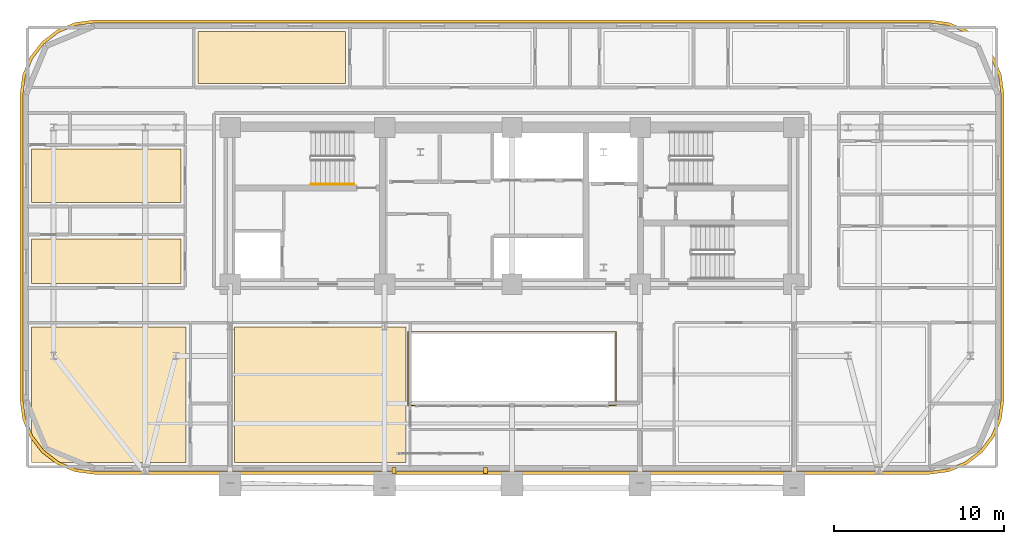
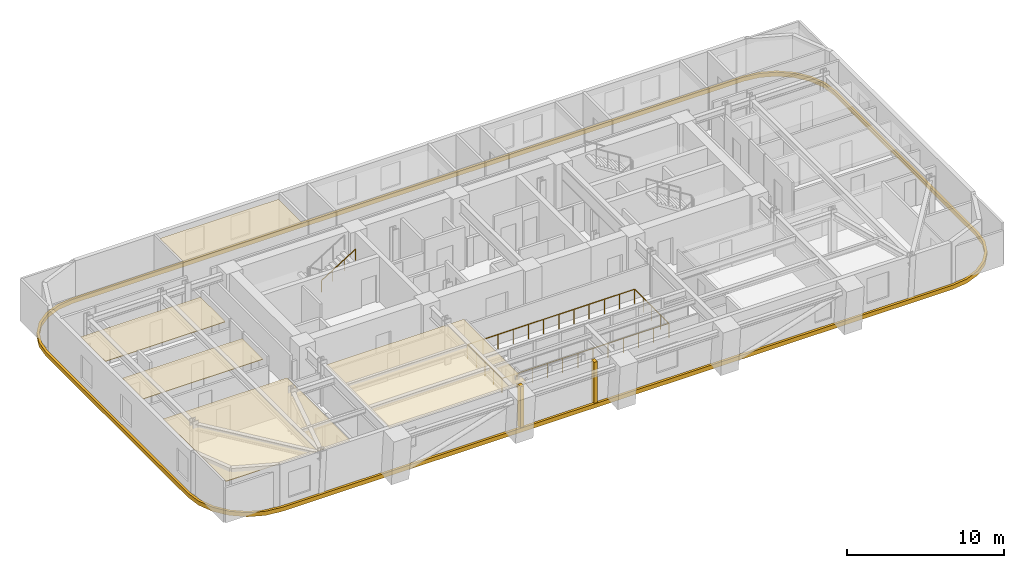
# One storey, part 13 of 15: 8 coverings, 2 railings.
"""IFC4 building model written with IfcOpenShell, lengths in metres."""

from ifc_helpers import new_model, si_unit, direction, frame, origin, origin_2d, place, context, subcontext, project, spatial, polyline, rectangle, outline, extrude, material, layer, layer_set, type_object, element, save


model = new_model("IFC4")

# Units and contexts
model_context = context("Model", 3, precision=1e-05, world=origin(), true_north=direction((0.0, 1.0)))
body_context = subcontext(model_context, "Body", "Model", "MODEL_VIEW")
ifc_project = project(units=[si_unit("LENGTHUNIT", "METRE"), si_unit("AREAUNIT", "SQUARE_METRE"), si_unit("VOLUMEUNIT", "CUBIC_METRE"), si_unit("PLANEANGLEUNIT", "RADIAN"), si_unit("MASSUNIT", "GRAM", prefix="KILO")], contexts=[model_context])

# Site, building, storey
site_placement = place(None, origin())
site = spatial("IfcSite", under=ifc_project, at=site_placement, CompositionType="ELEMENT")
building_placement = place(site_placement, origin())
building = spatial("IfcBuilding", under=site, at=building_placement, Name="Zarnavel Station Tower", CompositionType="ELEMENT")
storey_placement = place(building_placement, frame((0.0, 0.0, 111.800048828125)))
storey = spatial("IfcBuildingStorey", under=building, at=storey_placement, Name="L30", CompositionType="ELEMENT", Elevation=111.800048828125)

# Coverings
ifc_material_1 = material(Name="Perforated Gypsum and Mineral-Wool Acoustic Ceiling", Category="concrete")
ifc_layer = layer(ifc_material_1, 0.0400390625)
ifc_layer_set = layer_set([ifc_layer], Name="COV_CEIL_ACOUSTIC")
covering_type_1 = type_object("IfcCoveringType", Name="COV_CEIL_ACOUSTIC", PredefinedType="CEILING", material=ifc_layer_set)
covering_1_placement = place(storey_placement, frame((0.0, 0.0, 2.919921875)))
element("IfcCovering", 1, at=covering_1_placement, inside=storey, type_object=covering_type_1, Name="L30 FNW1R Acoustic Ceiling", PredefinedType="CEILING", context=body_context, shape_type="SweptSolid", body=[
    extrude(outline(polyline([(0.510009765625, 27.85009765625), (9.300048828125, 27.85009765625), (9.300048828125, 30.490966796875), (0.510009765625, 30.490966796875), (0.510009765625, 27.85009765625)])), origin(), (0.0, 0.0, 1.0), 0.0400390625),
])
covering_2_placement = place(storey_placement, frame((0.0, 0.0, 2.919921875)))
element("IfcCovering", 2, at=covering_2_placement, inside=storey, type_object=covering_type_1, Name="L30 FNW2R Acoustic Ceiling", PredefinedType="CEILING", context=body_context, shape_type="SweptSolid", body=[
    extrude(outline(polyline([(0.510009765625, 32.64111328125), (9.300048828125, 32.64111328125), (9.300048828125, 35.777099609375), (0.510009765625, 35.777099609375), (0.510009765625, 32.64111328125)])), origin(), (0.0, 0.0, 1.0), 0.0400390625),
])
covering_3_placement = place(storey_placement, frame((0.0, 0.0, 2.919921875)))
element("IfcCovering", 3, at=covering_3_placement, inside=storey, type_object=covering_type_1, Name="L30 HN1R Acoustic Ceiling", PredefinedType="CEILING", context=body_context, shape_type="SweptSolid", body=[
    extrude(outline(polyline([(10.31005859375, 39.64990234375), (19.0, 39.64990234375), (19.0, 42.68994140625), (10.31005859375, 42.68994140625), (10.31005859375, 39.64990234375)])), origin(), (0.0, 0.0, 1.0), 0.0400390625),
])
covering_4_placement = place(storey_placement, frame((0.0, 0.0, 2.919921875)))
element("IfcCovering", 4, at=covering_4_placement, inside=storey, type_object=covering_type_1, Name="L30 HW1R Acoustic Ceiling", PredefinedType="CEILING", context=body_context, shape_type="SweptSolid", body=[
    extrude(outline(polyline([(0.510009765625, 17.31005859375), (9.60009765625, 17.31005859375), (9.60009765625, 25.300048828125), (0.510009765625, 25.300048828125), (0.510009765625, 17.31005859375)])), origin(), (0.0, 0.0, 1.0), 0.0400390625),
])
covering_5_placement = place(storey_placement, frame((0.0, 0.0, 2.919921875)))
element("IfcCovering", 5, at=covering_5_placement, inside=storey, type_object=covering_type_1, Name="L30 L29STD Acoustic Ceiling", PredefinedType="CEILING", context=body_context, shape_type="SweptSolid", body=[
    extrude(outline(polyline([(12.449951171875, 17.31005859375), (22.550048828125, 17.31005859375), (22.550048828125, 25.300048828125), (12.449951171875, 25.300048828125), (12.449951171875, 17.31005859375)])), origin(), (0.0, 0.0, 1.0), 0.0400390625),
])
ifc_material_2 = material(Name="Precast concrete C45/55 (Pale Travertine Slab Band)", Category="masonry")
covering_type_2 = type_object("IfcCoveringType", Name="COV_TRAVERTINE_BAND", PredefinedType="CLADDING", material=ifc_material_2)
covering_6_placement = place(storey_placement, frame((0.0, 0.0, -0.260009765625)))
element("IfcCovering", 6, at=covering_6_placement, inside=storey, type_object=covering_type_2, Name="L30 Pale Travertine Slab-Edge Band", PredefinedType="CLADDING", context=body_context, shape_type="SweptSolid", body=[
    extrude(outline(polyline([(53.39990234375, 16.6201171875), (54.53369140625, 16.769287109375), (55.590087890625, 17.206787109375), (56.4970703125, 17.90283203125), (57.193115234375, 18.81005859375), (57.630859375, 19.866455078125), (57.780029296875, 21.0), (57.780029296875, 39.0), (57.630859375, 40.133544921875), (57.193115234375, 41.18994140625), (56.4970703125, 42.09716796875), (55.590087890625, 42.793212890625), (54.53369140625, 43.230712890625), (53.39990234375, 43.3798828125), (4.199951171875, 43.3798828125), (3.06640625, 43.230712890625), (2.010009765625, 42.793212890625), (1.102783203125, 42.09716796875), (0.40673828125, 41.18994140625), (-0.03076171875, 40.133544921875), (-0.179931640625, 39.0), (-0.179931640625, 21.0), (-0.03076171875, 19.866455078125), (0.40673828125, 18.81005859375), (1.102783203125, 17.90283203125), (2.010009765625, 17.206787109375), (3.06640625, 16.769287109375), (4.199951171875, 16.6201171875), (53.39990234375, 16.6201171875)]), holes=[polyline([(53.39990234375, 16.800048828125), (54.487060546875, 16.943115234375), (55.5, 17.36279296875), (56.369873046875, 18.0302734375), (57.037353515625, 18.89990234375), (57.456787109375, 19.9130859375), (57.60009765625, 21.0), (57.60009765625, 39.0), (57.456787109375, 40.0869140625), (57.037353515625, 41.10009765625), (56.369873046875, 41.9697265625), (55.5, 42.63720703125), (54.487060546875, 43.056884765625), (53.39990234375, 43.199951171875), (4.199951171875, 43.199951171875), (3.113037109375, 43.056884765625), (2.10009765625, 42.63720703125), (1.230224609375, 41.9697265625), (0.562744140625, 41.10009765625), (0.14306640625, 40.0869140625), (0.0, 39.0), (0.0, 21.0), (0.14306640625, 19.9130859375), (0.562744140625, 18.89990234375), (1.230224609375, 18.0302734375), (2.10009765625, 17.36279296875), (3.113037109375, 16.943115234375), (4.199951171875, 16.800048828125), (53.39990234375, 16.800048828125)])]), origin(), (0.0, 0.0, 1.0), 0.320068359375),
])
for number, where, z_axis, x_axis, name in (
    (7, (21.85009765625, 16.85009765625, 0.0), (0.0, 0.0, 1.0), (1.0, 0.0, 0.0), "L30 Travertine Portal Loggia Vertical Jog West"),
    (8, (27.25, 16.85009765625, 0.0), (0.0, 0.0, 1.0), (1.0, 0.0, 0.0), "L30 Travertine Portal Loggia Vertical Jog East"),
):
    element("IfcCovering", number, at=place(storey_placement, frame(where, z_axis=z_axis, x_axis=x_axis)), inside=storey, type_object=covering_type_2, Name=name, PredefinedType="CLADDING", context=body_context, shape_type="SweptSolid", body=[
        extrude(rectangle(XDim=0.239990234375, YDim=0.360107421875, at=origin_2d()), origin(), (0.0, 0.0, 1.0), 3.239990234375),
    ])

# Railings
ifc_material_3 = material(Name="Painted Steel S355J2 Balustrade", Category="steel")
railing_type_1 = type_object("IfcRailingType", Name="GR_INT_1150", PredefinedType="GUARDRAIL", material=ifc_material_3)
railing_1_placement = place(storey_placement, frame((22.679931640625, 20.679931640625, 0.0)))
element("IfcRailing", 9, at=railing_1_placement, inside=storey, type_object=railing_type_1, Name="L30 Atrium Void Guardrail", PredefinedType="GUARDRAIL", context=body_context, shape_type="SweptSolid", body=[
    extrude(rectangle(XDim=0.048095703125, YDim=0.048095703125, at=origin_2d()), frame((0.001953125, 0.0, 1.1259765625), z_axis=(1.0, 0.0, 0.0), x_axis=(0.0, 1.0, 0.0)), (0.0, 0.0, 1.0), 12.236083984375),
    extrude(rectangle(XDim=0.048095703125, YDim=0.048095703125, at=origin_2d()), frame((12.239990234375, 0.001953125, 1.1259765625), z_axis=(0.0, 1.0, 0.0), x_axis=(-1.0, 0.0, 0.0)), (0.0, 0.0, 1.0), 4.336181640625),
    extrude(rectangle(XDim=0.048095703125, YDim=0.048095703125, at=origin_2d()), frame((12.238037109375, 4.340087890625, 1.1259765625), z_axis=(-1.0, 0.0, 0.0), x_axis=(0.0, -1.0, 0.0)), (0.0, 0.0, 1.0), 12.236083984375),
    extrude(rectangle(XDim=0.048095703125, YDim=0.048095703125, at=origin_2d()), frame((0.0, 4.338134765625, 1.1259765625), z_axis=(0.0, -1.0, 0.0), x_axis=(1.0, 0.0, 0.0)), (0.0, 0.0, 1.0), 4.336181640625),
    extrude(rectangle(XDim=0.0419921875, YDim=0.0419921875, at=origin_2d()), origin(), (0.0, 0.0, 1.0), 1.101806640625),
    extrude(rectangle(XDim=0.0419921875, YDim=0.0419921875, at=origin_2d()), frame((1.11279296875, 0.0, 0.0)), (0.0, 0.0, 1.0), 1.101806640625),
    extrude(rectangle(XDim=0.0419921875, YDim=0.0419921875, at=origin_2d()), frame((2.225341796875, 0.0, 0.0)), (0.0, 0.0, 1.0), 1.101806640625),
    extrude(rectangle(XDim=0.0419921875, YDim=0.0419921875, at=origin_2d()), frame((3.338134765625, 0.0, 0.0)), (0.0, 0.0, 1.0), 1.101806640625),
    extrude(rectangle(XDim=0.0419921875, YDim=0.0419921875, at=origin_2d()), frame((4.450927734375, 0.0, 0.0)), (0.0, 0.0, 1.0), 1.101806640625),
    extrude(rectangle(XDim=0.0419921875, YDim=0.0419921875, at=origin_2d()), frame((5.563720703125, 0.0, 0.0)), (0.0, 0.0, 1.0), 1.101806640625),
    extrude(rectangle(XDim=0.0419921875, YDim=0.0419921875, at=origin_2d()), frame((6.67626953125, 0.0, 0.0)), (0.0, 0.0, 1.0), 1.101806640625),
    extrude(rectangle(XDim=0.0419921875, YDim=0.0419921875, at=origin_2d()), frame((7.7890625, 0.0, 0.0)), (0.0, 0.0, 1.0), 1.101806640625),
    extrude(rectangle(XDim=0.0419921875, YDim=0.0419921875, at=origin_2d()), frame((8.90185546875, 0.0, 0.0)), (0.0, 0.0, 1.0), 1.101806640625),
    extrude(rectangle(XDim=0.0419921875, YDim=0.0419921875, at=origin_2d()), frame((10.0146484375, 0.0, 0.0)), (0.0, 0.0, 1.0), 1.101806640625),
    extrude(rectangle(XDim=0.0419921875, YDim=0.0419921875, at=origin_2d()), frame((11.127197265625, 0.0, 0.0)), (0.0, 0.0, 1.0), 1.101806640625),
    extrude(rectangle(XDim=0.0419921875, YDim=0.0419921875, at=origin_2d()), frame((12.239990234375, 0.0, 0.0)), (0.0, 0.0, 1.0), 1.101806640625),
    extrude(rectangle(XDim=0.0419921875, YDim=0.0419921875, at=origin_2d()), frame((12.239990234375, 1.0849609375, 0.0)), (0.0, 0.0, 1.0), 1.101806640625),
    extrude(rectangle(XDim=0.0419921875, YDim=0.0419921875, at=origin_2d()), frame((12.239990234375, 2.169921875, 0.0)), (0.0, 0.0, 1.0), 1.101806640625),
    extrude(rectangle(XDim=0.0419921875, YDim=0.0419921875, at=origin_2d()), frame((12.239990234375, 3.255126953125, 0.0)), (0.0, 0.0, 1.0), 1.101806640625),
    extrude(rectangle(XDim=0.0419921875, YDim=0.0419921875, at=origin_2d()), frame((12.239990234375, 4.340087890625, 0.0)), (0.0, 0.0, 1.0), 1.101806640625),
    extrude(rectangle(XDim=0.0419921875, YDim=0.0419921875, at=origin_2d()), frame((11.127197265625, 4.340087890625, 0.0)), (0.0, 0.0, 1.0), 1.101806640625),
    extrude(rectangle(XDim=0.0419921875, YDim=0.0419921875, at=origin_2d()), frame((10.0146484375, 4.340087890625, 0.0)), (0.0, 0.0, 1.0), 1.101806640625),
    extrude(rectangle(XDim=0.0419921875, YDim=0.0419921875, at=origin_2d()), frame((8.90185546875, 4.340087890625, 0.0)), (0.0, 0.0, 1.0), 1.101806640625),
    extrude(rectangle(XDim=0.0419921875, YDim=0.0419921875, at=origin_2d()), frame((7.7890625, 4.340087890625, 0.0)), (0.0, 0.0, 1.0), 1.101806640625),
    extrude(rectangle(XDim=0.0419921875, YDim=0.0419921875, at=origin_2d()), frame((6.67626953125, 4.340087890625, 0.0)), (0.0, 0.0, 1.0), 1.101806640625),
    extrude(rectangle(XDim=0.0419921875, YDim=0.0419921875, at=origin_2d()), frame((5.563720703125, 4.340087890625, 0.0)), (0.0, 0.0, 1.0), 1.101806640625),
    extrude(rectangle(XDim=0.0419921875, YDim=0.0419921875, at=origin_2d()), frame((4.450927734375, 4.340087890625, 0.0)), (0.0, 0.0, 1.0), 1.101806640625),
    extrude(rectangle(XDim=0.0419921875, YDim=0.0419921875, at=origin_2d()), frame((3.338134765625, 4.340087890625, 0.0)), (0.0, 0.0, 1.0), 1.101806640625),
    extrude(rectangle(XDim=0.0419921875, YDim=0.0419921875, at=origin_2d()), frame((2.225341796875, 4.340087890625, 0.0)), (0.0, 0.0, 1.0), 1.101806640625),
    extrude(rectangle(XDim=0.0419921875, YDim=0.0419921875, at=origin_2d()), frame((1.11279296875, 4.340087890625, 0.0)), (0.0, 0.0, 1.0), 1.101806640625),
    extrude(rectangle(XDim=0.0419921875, YDim=0.0419921875, at=origin_2d()), frame((0.0, 4.340087890625, 0.0)), (0.0, 0.0, 1.0), 1.101806640625),
    extrude(rectangle(XDim=0.0419921875, YDim=0.0419921875, at=origin_2d()), frame((0.0, 3.255126953125, 0.0)), (0.0, 0.0, 1.0), 1.101806640625),
    extrude(rectangle(XDim=0.0419921875, YDim=0.0419921875, at=origin_2d()), frame((0.0, 2.169921875, 0.0)), (0.0, 0.0, 1.0), 1.101806640625),
    extrude(rectangle(XDim=0.0419921875, YDim=0.0419921875, at=origin_2d()), frame((0.0, 1.0849609375, 0.0)), (0.0, 0.0, 1.0), 1.101806640625),
])
ifc_material_4 = material(Name="Brushed Stainless Steel S355J2 Handrail", Category="steel")
railing_type_2 = type_object("IfcRailingType", Name="HR_STAIR_900", PredefinedType="HANDRAIL", material=ifc_material_4)
railing_2_placement = place(storey_placement, frame((16.9599609375, 33.7099609375, 1.925048828125)))
element("IfcRailing", 10, at=railing_2_placement, inside=storey, type_object=railing_type_2, Name="L30 ST1 stair handrail 2", PredefinedType="HANDRAIL", context=body_context, shape_type="SweptSolid", body=[
    extrude(rectangle(XDim=0.048095703125, YDim=0.048095703125, at=origin_2d()), frame((0.001708984375, 0.0, 0.876953125), z_axis=(0.848007534815, 0.0, 0.529984170421), x_axis=(0.0, 1.0, 0.0)), (0.0, 0.0, 1.0), 2.9677734375),
    extrude(rectangle(XDim=0.0419921875, YDim=0.0419921875, at=origin_2d()), origin(), (0.0, 0.0, 1.0), 0.851806640625),
    extrude(rectangle(XDim=0.0419921875, YDim=0.0419921875, at=origin_2d()), frame((0.840087890625, 0.0, 0.52490234375)), (0.0, 0.0, 1.0), 0.851806640625),
    extrude(rectangle(XDim=0.0419921875, YDim=0.0419921875, at=origin_2d()), frame((1.679931640625, 0.0, 1.050048828125)), (0.0, 0.0, 1.0), 0.851806640625),
    extrude(rectangle(XDim=0.0419921875, YDim=0.0419921875, at=origin_2d()), frame((2.52001953125, 0.0, 1.574951171875)), (0.0, 0.0, 1.0), 0.851806640625),
])

save(model, "model.ifc")
